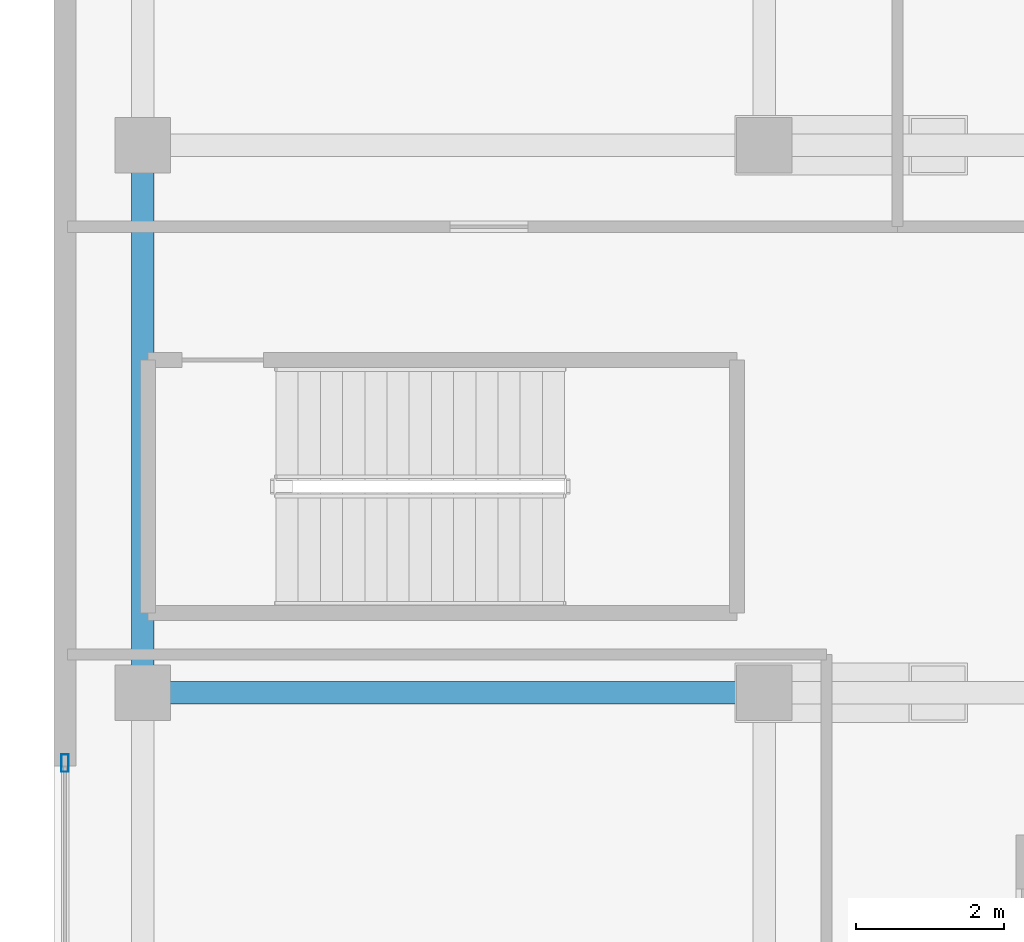
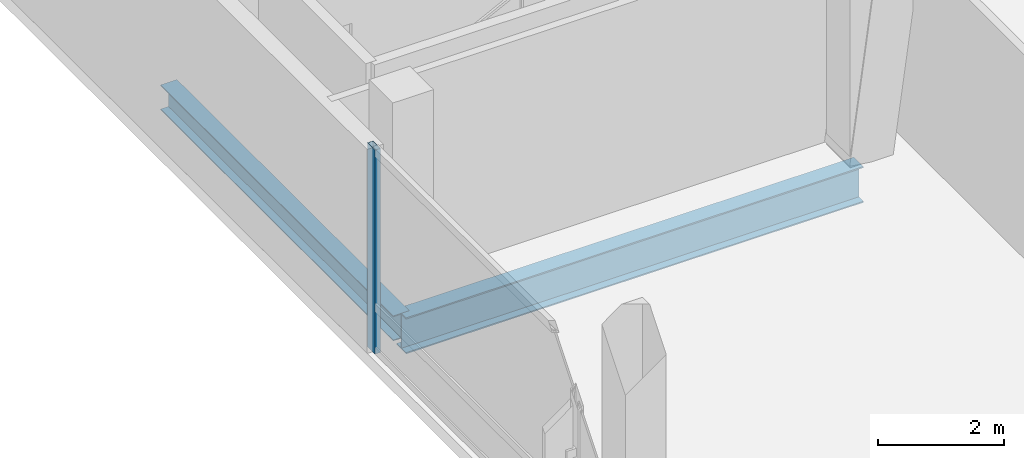
# One storey, part 6 of 23: 2 beams, 1 member, 1 element without a shape of its own.
"""IFC4 building model written with IfcOpenShell, lengths in metres."""

import ifcopenshell
import ifcopenshell.guid

model = None  # the IFC model being written
_history = None  # IfcOwnerHistory: only IFC2X3 demands one
_inside = {}  # id of a spatial element -> (the spatial element, [elements in it])
_under = {}  # id of a project, library or spatial element -> (it, [spatial elements below it])
_declared = {}  # id of a project -> (the project, [libraries it declares])
_typed = {}  # id of a type object -> (the type object, [elements of that type])
_made_of = {}  # id of a material, layer set ... -> (it, [elements and type objects made of it])


def new_model(schema):
    """Start an empty IFC model of exactly this schema.

    Asked for "IFC4X3", IfcOpenShell would pick the latest addendum, in which some entities
    have other attributes; the version numbers below select the first issue.
    IFC2X3 requires an IfcOwnerHistory on every rooted entity: one is made here for all.
    """
    global model, _history
    if schema == "IFC4X3":
        model = ifcopenshell.file(schema_version=(4, 3, 0, 0))
    else:
        model = ifcopenshell.file(schema=schema)
    _inside.clear()
    _under.clear()
    _declared.clear()
    _typed.clear()
    _made_of.clear()
    _history = None
    if model.schema == "IFC2X3":
        org = make("IfcOrganization", Name="unknown")
        user = make(
            "IfcPersonAndOrganization",
            ThePerson=make("IfcPerson", FamilyName="unknown"),
            TheOrganization=org,
        )
        app = make(
            "IfcApplication",
            ApplicationDeveloper=org,
            Version="unknown",
            ApplicationFullName="unknown",
            ApplicationIdentifier="unknown",
        )
        _history = make(
            "IfcOwnerHistory",
            OwningUser=user,
            OwningApplication=app,
            ChangeAction="ADDED",
            CreationDate=0,
        )
    return model


def make(cls, **values):
    """One entity of the class cls with the attributes given. An attribute that is None is left unset."""
    return model.create_entity(
        cls, **{name: value for name, value in values.items() if value is not None}
    )


def rooted(cls, **values):
    """An entity with a GlobalId (a new one), such as an element, a storey or a relation."""
    return make(cls, GlobalId=ifcopenshell.guid.new(), OwnerHistory=_history, **values)


def si_unit(unit_type, name, prefix=None):
    """IfcSIUnit, for example si_unit("LENGTHUNIT", "METRE", prefix="MILLI")."""
    return make("IfcSIUnit", UnitType=unit_type, Prefix=prefix, Name=name)


def assignment(units):
    """IfcUnitAssignment: the units of a project."""
    return None if units is None else make("IfcUnitAssignment", Units=units)


def point(xyz):
    """IfcCartesianPoint."""
    return None if xyz is None else make("IfcCartesianPoint", Coordinates=xyz)


def direction(xyz):
    """IfcDirection."""
    return None if xyz is None else make("IfcDirection", DirectionRatios=xyz)


def frame(location, z_axis=None, x_axis=None):
    """IfcAxis2Placement3D, a coordinate frame: its origin and axes. An axis left out is left unset."""
    return make(
        "IfcAxis2Placement3D",
        Location=point(location),
        Axis=direction(z_axis),
        RefDirection=direction(x_axis),
    )


def frame_2d(location, x_axis=None):
    """IfcAxis2Placement2D, a coordinate frame in the plane: its origin and x axis."""
    return make(
        "IfcAxis2Placement2D", Location=point(location), RefDirection=direction(x_axis)
    )


def origin():
    """The frame at (0, 0, 0) with its axes left unset."""
    return frame((0.0, 0.0, 0.0))


def origin_2d():
    """The frame at (0, 0) in the plane with its x axis left unset."""
    return frame_2d((0.0, 0.0))


def place(relative_to, where):
    """IfcLocalPlacement: puts the frame where relative to a parent placement (None: the world)."""
    return make(
        "IfcLocalPlacement", PlacementRelTo=relative_to, RelativePlacement=where
    )


def context(
    kind, dimensions, precision=None, world=None, true_north=None, identifier=None
):
    """IfcGeometricRepresentationContext, for example the 3D "Model" context."""
    return make(
        "IfcGeometricRepresentationContext",
        ContextIdentifier=identifier,
        ContextType=kind,
        CoordinateSpaceDimension=dimensions,
        Precision=precision,
        WorldCoordinateSystem=world,
        TrueNorth=true_north,
    )


def subcontext(parent, identifier, kind, view, scale=None):
    """IfcGeometricRepresentationSubContext, for example "Body" below "Model"."""
    return make(
        "IfcGeometricRepresentationSubContext",
        ContextIdentifier=identifier,
        ContextType=kind,
        ParentContext=parent,
        TargetScale=scale,
        TargetView=view,
    )


def project(units=None, contexts=None):
    """IfcProject with its units and contexts."""
    return rooted(
        "IfcProject",
        Name="project",
        RepresentationContexts=contexts,
        UnitsInContext=assignment(units),
    )


def spatial(cls, under=None, at=None, **own):
    """A site, building, storey or space (cls), placed at a placement, below another one or the project."""
    s = rooted(cls, ObjectPlacement=at, **own)
    if under is not None:
        _under.setdefault(under.id(), (under, []))[1].append(s)
    return s


def profile(cls, at=None, kind="AREA", **sizes):
    """A parametric profile (cls). Its sizes go by their IFC names, for example OverallWidth=200.0."""
    return make(cls, ProfileType=kind, Position=at, **sizes)


def hollow_rectangle(**sizes):
    """IfcRectangleHollowProfileDef."""
    return profile("IfcRectangleHollowProfileDef", **sizes)


def i_section(**sizes):
    """IfcIShapeProfileDef."""
    return profile("IfcIShapeProfileDef", **sizes)


def extrude(swept, where, along, depth):
    """IfcExtrudedAreaSolid: the profile swept, set in the frame where, extruded along a direction by depth."""
    return make(
        "IfcExtrudedAreaSolid",
        SweptArea=swept,
        Position=where,
        ExtrudedDirection=direction(along),
        Depth=depth,
    )


def shape(context_of_items, identifier, shape_type, items):
    """IfcShapeRepresentation: the items that make up one representation, for example the "Body"."""
    return make(
        "IfcShapeRepresentation",
        ContextOfItems=context_of_items,
        RepresentationIdentifier=identifier,
        RepresentationType=shape_type,
        Items=items,
    )


def material(Name=None, Category=None):
    """IfcMaterial."""
    return make("IfcMaterial", Name=Name, Category=Category)


def layer(
    of_material, thickness, ventilated=None, Name=None, Category=None, Priority=None
):
    """IfcMaterialLayer: one layer of a wall or slab, of a material (None: an air gap)."""
    return make(
        "IfcMaterialLayer",
        Material=of_material,
        LayerThickness=thickness,
        IsVentilated=ventilated,
        Name=Name,
        Category=Category,
        Priority=Priority,
    )


def layer_set(layers, Name=None):
    """IfcMaterialLayerSet."""
    return make("IfcMaterialLayerSet", MaterialLayers=layers, LayerSetName=Name)


def material_profile(
    of_material, cross_section, Name=None, Category=None, Priority=None
):
    """IfcMaterialProfile: a cross section and its material."""
    return make(
        "IfcMaterialProfile",
        Name=Name,
        Material=of_material,
        Profile=cross_section,
        Priority=Priority,
        Category=Category,
    )


def profile_set(profiles, Name=None, composite=None):
    """IfcMaterialProfileSet."""
    return make(
        "IfcMaterialProfileSet",
        Name=Name,
        MaterialProfiles=profiles,
        CompositeProfile=composite,
    )


def made_of(thing, what):
    """Note that an element or type object is made of a material, layer set ...; save() writes the relation."""
    if what is not None:
        _made_of.setdefault(what.id(), (what, []))[1].append(thing)
    return thing


def type_object(cls, material=None, **own):
    """A type object (cls), such as IfcWallType, which elements share."""
    return made_of(rooted(cls, **own), material)


def element(
    cls,
    number,
    at=None,
    inside=None,
    cuts=None,
    type_object=None,
    material=None,
    context=None,
    identifier="Body",
    shape_type=None,
    held_by="IfcProductDefinitionShape",
    body=None,
    shapes=None,
    **own,
):
    """One element of the class cls, such as IfcWall. Its Tag is "e" and its number.

    at: its placement. inside: the storey or other place that contains it. cuts: it is an
    opening in that element (IfcRelVoidsElement). A single representation is given by context,
    identifier, shape_type and body (its items); several are given by shapes. held_by: the class
    of the entity that holds the representations. save() writes the other relations.
    """
    e = rooted(cls, Tag="e%d" % number, ObjectPlacement=at, **own)
    if body is not None:
        shapes = [shape(context, identifier, shape_type, body)]
    if shapes is not None:
        e.Representation = make(held_by, Representations=shapes)
    if inside is not None:
        _inside.setdefault(inside.id(), (inside, []))[1].append(e)
    if cuts is not None:
        rooted(
            "IfcRelVoidsElement", RelatingBuildingElement=cuts, RelatedOpeningElement=e
        )
    if type_object is not None:
        _typed.setdefault(type_object.id(), (type_object, []))[1].append(e)
    return made_of(e, material)


def aggregate(whole, parts):
    """IfcRelAggregates: a whole, such as a stair, and the parts it consists of."""
    return rooted("IfcRelAggregates", RelatingObject=whole, RelatedObjects=parts)


def save(model, path):
    """Write the relations noted so far, then the file.

    IfcRelAggregates (storeys below a building ...), IfcRelContainedInSpatialStructure (elements
    in a storey), IfcRelDefinesByType, IfcRelAssociatesMaterial and IfcRelDeclares: one each for
    every whole, place, type object, material and project.
    """
    for whole, parts in _under.values():
        aggregate(whole, parts)
    for where, things in _inside.values():
        rooted(
            "IfcRelContainedInSpatialStructure",
            RelatedElements=things,
            RelatingStructure=where,
        )
    for kind, things in _typed.values():
        rooted("IfcRelDefinesByType", RelatedObjects=things, RelatingType=kind)
    for what, things in _made_of.values():
        rooted("IfcRelAssociatesMaterial", RelatedObjects=things, RelatingMaterial=what)
    for by, libraries in _declared.values():
        rooted("IfcRelDeclares", RelatingContext=by, RelatedDefinitions=libraries)
    model.write(path)


model = new_model("IFC4")

# Units and contexts
model_context = context("Model", 3, precision=1e-05, world=origin(), true_north=direction((0.0, 1.0)))
body_context = subcontext(model_context, "Body", "Model", "MODEL_VIEW")
ifc_project = project(units=[si_unit("LENGTHUNIT", "METRE"), si_unit("AREAUNIT", "SQUARE_METRE"), si_unit("VOLUMEUNIT", "CUBIC_METRE"), si_unit("PLANEANGLEUNIT", "RADIAN"), si_unit("MASSUNIT", "GRAM", prefix="KILO")], contexts=[model_context])

# Site, building, storey
site_placement = place(None, origin())
site = spatial("IfcSite", under=ifc_project, at=site_placement, CompositionType="ELEMENT")
building_placement = place(site_placement, origin())
building = spatial("IfcBuilding", under=site, at=building_placement, Name="Khorvyn Point Tower", CompositionType="ELEMENT")
storey_placement = place(building_placement, frame((0.0, 0.0, 9.0)))
storey = spatial("IfcBuildingStorey", under=building, at=storey_placement, Name="L03", CompositionType="ELEMENT", Elevation=9.0)

# Curtain wall, member
ifc_material_1 = material(Name="Anodised aluminium 6063-T6 and laminated Low-E glass", Category="aluminium")
ifc_layer = layer(ifc_material_1, 0.18994140625)
ifc_layer_set = layer_set([ifc_layer], Name="Stick-Built Low-E Podium Curtain Wall CW-SYS-01")
curtain_wall_type = type_object("IfcCurtainWallType", Name="Stick-Built Low-E Podium Curtain Wall CW-SYS-01", PredefinedType="NOTDEFINED", material=ifc_layer_set)
curtain_wall_placement = place(storey_placement, origin())
curtain_wall = element("IfcCurtainWall", 1, at=curtain_wall_placement, inside=storey, type_object=curtain_wall_type, Name="Curtain Wall", PredefinedType="NOTDEFINED")
ifc_material_2 = material(Name="Anodised aluminium 6063-T6", Category="aluminium")
ifc_material_profile_1 = material_profile(ifc_material_2, hollow_rectangle(XDim=0.10009765625, YDim=0.239990234375, WallThickness=0.0048828125, at=origin_2d()))
ifc_profile_set_1 = profile_set([ifc_material_profile_1], Name="Anodised aluminium 6063-T6 ALU-MUL-100x240")
member_type = type_object("IfcMemberType", Name="Anodised Aluminium 6063-T6 Mullion ALU-MUL-100x240", PredefinedType="MULLION", material=ifc_profile_set_1)
member_placement = place(storey_placement, frame((-33.449951171875, 6.449951171875, 0.0), z_axis=(0.0, 0.0, 1.0), x_axis=(-1.0, 0.0, 0.0)))
member = element("IfcMember", 2, at=member_placement, type_object=member_type, Name="Transom", PredefinedType="MULLION", context=body_context, shape_type="SweptSolid", body=[
    extrude(hollow_rectangle(XDim=0.10009765625, YDim=0.239990234375, WallThickness=0.0048828125, at=origin_2d()), origin(), (0.0, 0.0, 1.0), 3.9599609375),
])
aggregate(curtain_wall, [member])

# Beams
ifc_material_3 = material(Name="Steel S355", Category="steel")
ifc_material_profile_2 = material_profile(ifc_material_3, i_section(OverallWidth=0.300048828125, OverallDepth=0.699951171875, WebThickness=0.012939453125, FlangeThickness=0.02392578125, at=origin_2d()))
ifc_profile_set_2 = profile_set([ifc_material_profile_2], Name="Steel S355 H700x300x13x24")
beam_type_1 = type_object("IfcBeamType", Name="Steel S355 Beam H700x300x13x24", PredefinedType="BEAM", material=ifc_profile_set_2)
beam_1_placement = place(storey_placement, frame((-32.39990234375, 7.39990234375, -0.590087890625), z_axis=(1.0, 0.0, 0.0), x_axis=(0.0, 1.0, 0.0)))
element("IfcBeam", 3, at=beam_1_placement, inside=storey, type_object=beam_type_1, Name="Beam", PredefinedType="BEAM", context=body_context, shape_type="SweptSolid", body=[
    extrude(i_section(OverallWidth=0.300048828125, OverallDepth=0.699951171875, WebThickness=0.012939453125, FlangeThickness=0.02392578125, at=origin_2d()), origin(), (0.0, 0.0, 1.0), 8.39990234375),
])
ifc_material_profile_3 = material_profile(ifc_material_3, i_section(OverallWidth=0.300048828125, OverallDepth=0.488037109375, WebThickness=0.010986328125, FlangeThickness=0.01806640625, at=origin_2d()))
ifc_profile_set_3 = profile_set([ifc_material_profile_3], Name="Steel S355 H488x300x11x18")
beam_type_2 = type_object("IfcBeamType", Name="Steel S355 Spandrel H488x300x11x18", PredefinedType="SPANDREL", material=ifc_profile_set_3)
beam_2_placement = place(storey_placement, frame((-32.39990234375, 7.39990234375, -0.48388671875), z_axis=(0.0, 1.0, 0.0), x_axis=(-1.0, 0.0, 0.0)))
element("IfcBeam", 4, at=beam_2_placement, inside=storey, type_object=beam_type_2, Name="Beam", PredefinedType="SPANDREL", context=body_context, shape_type="SweptSolid", body=[
    extrude(i_section(OverallWidth=0.300048828125, OverallDepth=0.488037109375, WebThickness=0.010986328125, FlangeThickness=0.01806640625, at=origin_2d()), origin(), (0.0, 0.0, 1.0), 7.400146484375),
])

save(model, "model.ifc")
